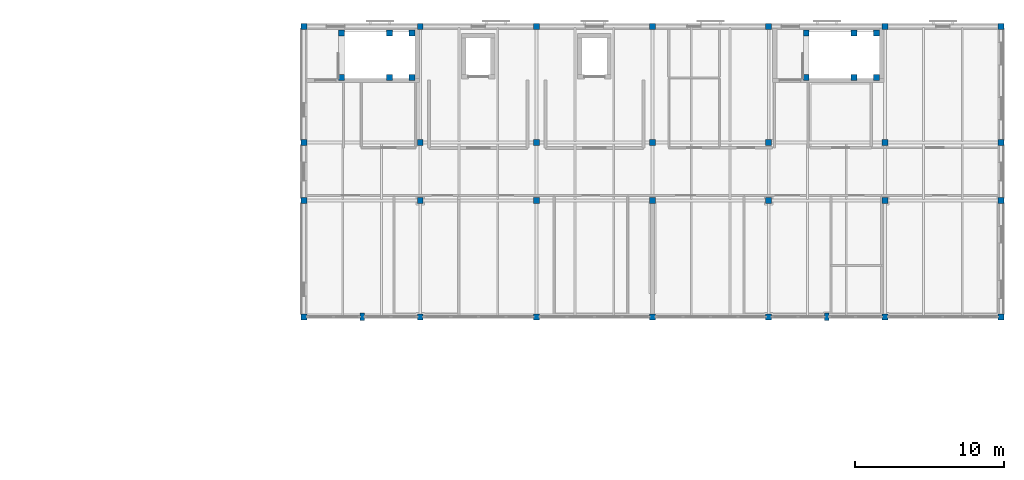
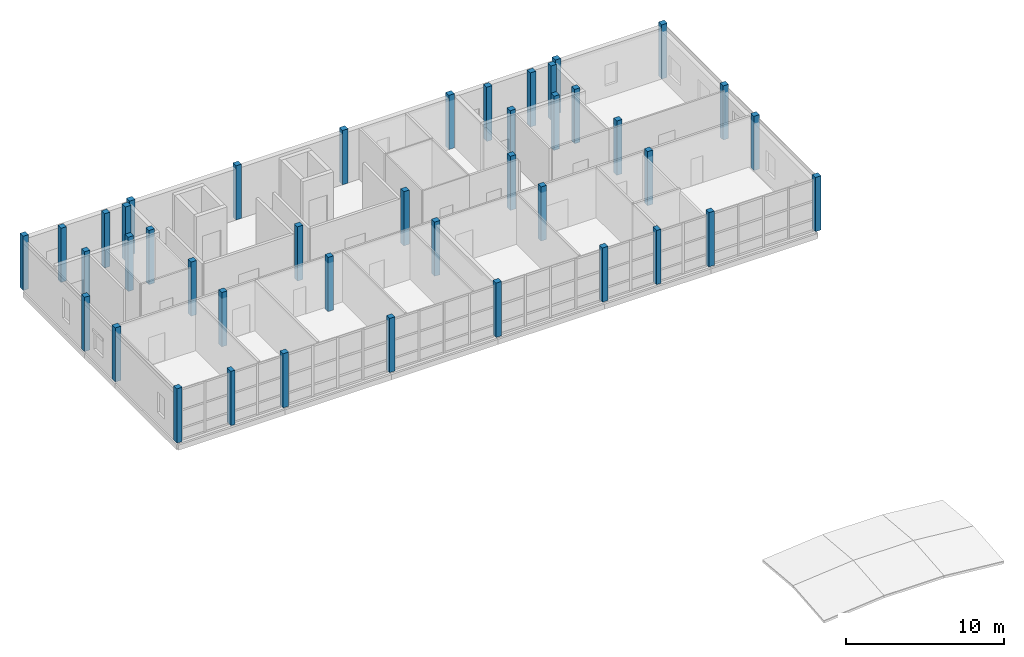
# One storey, part 1 of 21: 42 columns.
"""IFC4 building model written with IfcOpenShell, lengths in metres."""

from ifc_helpers import new_model, si_unit, direction, frame, origin, origin_2d, place, context, subcontext, project, spatial, rectangle, extrude, material, material_profile, profile_set, type_object, element, save


model = new_model("IFC4")

# Units and contexts
model_context = context("Model", 3, precision=1e-05, world=origin(), true_north=direction((0.0, 1.0)))
body_context = subcontext(model_context, "Body", "Model", "MODEL_VIEW")
ifc_project = project(units=[si_unit("LENGTHUNIT", "METRE"), si_unit("AREAUNIT", "SQUARE_METRE"), si_unit("VOLUMEUNIT", "CUBIC_METRE"), si_unit("PLANEANGLEUNIT", "RADIAN"), si_unit("MASSUNIT", "GRAM", prefix="KILO")], contexts=[model_context])

# Site, building, storey
site_placement = place(None, origin())
site = spatial("IfcSite", under=ifc_project, at=site_placement, CompositionType="ELEMENT")
building_placement = place(site_placement, origin())
building = spatial("IfcBuilding", under=site, at=building_placement, Name="Celorna Specialist Clinic", CompositionType="ELEMENT")
storey_placement = place(building_placement, frame((0.0, 0.0, 23.10009765625)))
storey = spatial("IfcBuildingStorey", under=building, at=storey_placement, Name="L05", CompositionType="ELEMENT", Elevation=23.10009765625)

# Columns
ifc_material_1 = material(Name="Concrete C35/45", Category="concrete")
ifc_material_profile_1 = material_profile(ifc_material_1, rectangle(XDim=0.39990234375, YDim=0.39990234375, at=origin_2d()), Name="RC 400x400")
ifc_profile_set_1 = profile_set([ifc_material_profile_1], Name="Concrete C35/45")
column_type_1 = type_object("IfcColumnType", Name="CT-08", PredefinedType="COLUMN", material=ifc_profile_set_1)
for number, where, z_axis, x_axis, name in (
    (1, (46.800048828125, 96.5, 0.0), (0.0, 0.0, 1.0), (1.0, 0.0, 0.0), "Column CT-08 L05 X07/YR"),
    (2, (46.800048828125, 104.300048828125, 0.0), (0.0, 0.0, 1.0), (1.0, 0.0, 0.0), "Column CT-08 L05 X07/YS"),
    (3, (46.800048828125, 108.199951171875, 0.0), (0.0, 0.0, 1.0), (1.0, 0.0, 0.0), "Column CT-08 L05 X07/YT"),
    (4, (46.800048828125, 116.0, 0.0), (0.0, 0.0, 1.0), (1.0, 0.0, 0.0), "Column CT-08 L05 X07/YU"),
    (5, (54.60009765625, 96.5, 0.0), (0.0, 0.0, 1.0), (1.0, 0.0, 0.0), "Column CT-08 L05 X08/YR"),
    (6, (54.60009765625, 104.300048828125, 0.0), (0.0, 0.0, 1.0), (1.0, 0.0, 0.0), "Column CT-08 L05 X08/YS"),
    (7, (54.60009765625, 108.199951171875, 0.0), (0.0, 0.0, 1.0), (1.0, 0.0, 0.0), "Column CT-08 L05 X08/YT"),
    (8, (54.60009765625, 116.0, 0.0), (0.0, 0.0, 1.0), (1.0, 0.0, 0.0), "Column CT-08 L05 X08/YU"),
    (9, (62.39990234375, 96.5, 0.0), (0.0, 0.0, 1.0), (1.0, 0.0, 0.0), "Column CT-08 L05 X09/YR"),
    (10, (62.39990234375, 104.300048828125, 0.0), (0.0, 0.0, 1.0), (1.0, 0.0, 0.0), "Column CT-08 L05 X09/YS"),
    (11, (62.39990234375, 108.199951171875, 0.0), (0.0, 0.0, 1.0), (1.0, 0.0, 0.0), "Column CT-08 L05 X09/YT"),
    (12, (62.39990234375, 116.0, 0.0), (0.0, 0.0, 1.0), (1.0, 0.0, 0.0), "Column CT-08 L05 X09/YU"),
    (13, (70.199951171875, 96.5, 0.0), (0.0, 0.0, 1.0), (1.0, 0.0, 0.0), "Column CT-08 L05 X10/YR"),
    (14, (70.199951171875, 104.300048828125, 0.0), (0.0, 0.0, 1.0), (1.0, 0.0, 0.0), "Column CT-08 L05 X10/YS"),
    (15, (70.199951171875, 108.199951171875, 0.0), (0.0, 0.0, 1.0), (1.0, 0.0, 0.0), "Column CT-08 L05 X10/YT"),
    (16, (70.199951171875, 116.0, 0.0), (0.0, 0.0, 1.0), (1.0, 0.0, 0.0), "Column CT-08 L05 X10/YU"),
    (17, (78.0, 96.5, 0.0), (0.0, 0.0, 1.0), (1.0, 0.0, 0.0), "Column CT-08 L05 X11/YR"),
    (18, (78.0, 104.300048828125, 0.0), (0.0, 0.0, 1.0), (1.0, 0.0, 0.0), "Column CT-08 L05 X11/YS"),
    (19, (78.0, 108.199951171875, 0.0), (0.0, 0.0, 1.0), (1.0, 0.0, 0.0), "Column CT-08 L05 X11/YT"),
    (20, (78.0, 116.0, 0.0), (0.0, 0.0, 1.0), (1.0, 0.0, 0.0), "Column CT-08 L05 X11/YU"),
    (21, (85.800048828125, 96.5, 0.0), (0.0, 0.0, 1.0), (1.0, 0.0, 0.0), "Column CT-08 L05 X12/YR"),
    (22, (85.800048828125, 104.300048828125, 0.0), (0.0, 0.0, 1.0), (1.0, 0.0, 0.0), "Column CT-08 L05 X12/YS"),
    (23, (85.800048828125, 108.199951171875, 0.0), (0.0, 0.0, 1.0), (1.0, 0.0, 0.0), "Column CT-08 L05 X12/YT"),
    (24, (85.800048828125, 116.0, 0.0), (0.0, 0.0, 1.0), (1.0, 0.0, 0.0), "Column CT-08 L05 X12/YU"),
    (25, (93.60009765625, 96.5, 0.0), (0.0, 0.0, 1.0), (1.0, 0.0, 0.0), "Column CT-08 L05 X13/YR"),
    (26, (93.60009765625, 104.300048828125, 0.0), (0.0, 0.0, 1.0), (1.0, 0.0, 0.0), "Column CT-08 L05 X13/YS"),
    (27, (93.60009765625, 108.199951171875, 0.0), (0.0, 0.0, 1.0), (1.0, 0.0, 0.0), "Column CT-08 L05 X13/YT"),
    (28, (93.60009765625, 116.0, 0.0), (0.0, 0.0, 1.0), (1.0, 0.0, 0.0), "Column CT-08 L05 X13/YU"),
    (29, (49.320068359375, 112.570068359375, 0.0), (0.0, 0.0, 1.0), (1.0, 0.0, 0.0), "Stair ST-01 landing column CT-08 L05 X07/YU"),
    (30, (49.320068359375, 115.570068359375, 0.0), (0.0, 0.0, 1.0), (1.0, 0.0, 0.0), "Stair ST-01 landing column CT-08 L05 X07/YU"),
    (31, (52.52001953125, 112.570068359375, 0.0), (0.0, 0.0, 1.0), (1.0, 0.0, 0.0), "Stair ST-01 landing column CT-08 L05 X08/YU"),
    (32, (52.52001953125, 115.570068359375, 0.0), (0.0, 0.0, 1.0), (1.0, 0.0, 0.0), "Stair ST-01 landing column CT-08 L05 X08/YU"),
    (33, (54.0400390625, 112.570068359375, 0.0), (0.0, 0.0, 1.0), (1.0, 0.0, 0.0), "Stair ST-01 landing column CT-08 L05 X08/YU"),
    (34, (54.0400390625, 115.570068359375, 0.0), (0.0, 0.0, 1.0), (1.0, 0.0, 0.0), "Stair ST-01 landing column CT-08 L05 X08/YU"),
    (35, (80.52001953125, 112.570068359375, 0.0), (0.0, 0.0, 1.0), (1.0, 0.0, 0.0), "Stair ST-02 landing column CT-08 L05 X11/YU"),
    (36, (80.52001953125, 115.570068359375, 0.0), (0.0, 0.0, 1.0), (1.0, 0.0, 0.0), "Stair ST-02 landing column CT-08 L05 X11/YU"),
    (37, (83.719970703125, 112.570068359375, 0.0), (0.0, 0.0, 1.0), (1.0, 0.0, 0.0), "Stair ST-02 landing column CT-08 L05 X12/YU"),
    (38, (83.719970703125, 115.570068359375, 0.0), (0.0, 0.0, 1.0), (1.0, 0.0, 0.0), "Stair ST-02 landing column CT-08 L05 X12/YU"),
    (39, (85.239990234375, 112.570068359375, 0.0), (0.0, 0.0, 1.0), (1.0, 0.0, 0.0), "Stair ST-02 landing column CT-08 L05 X12/YU"),
    (40, (85.239990234375, 115.570068359375, 0.0), (0.0, 0.0, 1.0), (1.0, 0.0, 0.0), "Stair ST-02 landing column CT-08 L05 X12/YU"),
):
    element("IfcColumn", number, at=place(storey_placement, frame(where, z_axis=z_axis, x_axis=x_axis)), inside=storey, type_object=column_type_1, Name=name, PredefinedType="COLUMN", context=body_context, shape_type="SweptSolid", body=[
        extrude(rectangle(XDim=0.39990234375, YDim=0.39990234375, at=origin_2d()), origin(), (0.0, 0.0, 1.0), 4.199951171875),
    ])
ifc_material_2 = material(Name="Precast concrete C40/50", Category="concrete")
ifc_material_profile_2 = material_profile(ifc_material_2, rectangle(XDim=0.300048828125, YDim=0.47998046875, at=origin_2d()), Name="PILASTER 300x480")
ifc_profile_set_2 = profile_set([ifc_material_profile_2], Name="Precast concrete C40/50")
column_type_2 = type_object("IfcColumnType", Name="CT-17", PredefinedType="PILASTER", material=ifc_profile_set_2)
for number, where, z_axis, x_axis, name in (
    (41, (50.699951171875, 96.5, 0.0), (0.0, 0.0, 1.0), (1.0, 0.0, 0.0), "Court veranda pilaster CT-17 L05 X08/YR"),
    (42, (81.89990234375, 96.5, 0.0), (0.0, 0.0, 1.0), (1.0, 0.0, 0.0), "Court veranda pilaster CT-17 L05 X12/YR"),
):
    element("IfcColumn", number, at=place(storey_placement, frame(where, z_axis=z_axis, x_axis=x_axis)), inside=storey, type_object=column_type_2, Name=name, PredefinedType="PILASTER", context=body_context, shape_type="SweptSolid", body=[
        extrude(rectangle(XDim=0.300048828125, YDim=0.47998046875, at=origin_2d()), origin(), (0.0, 0.0, 1.0), 4.199951171875),
    ])

save(model, "model.ifc")
